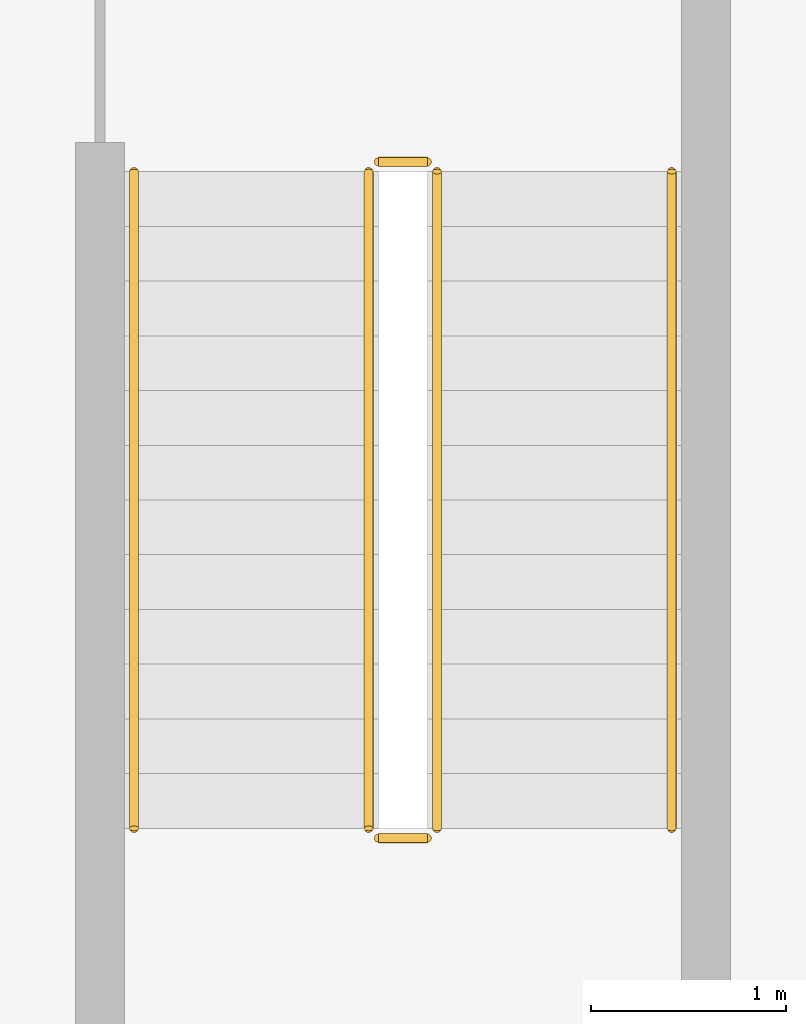
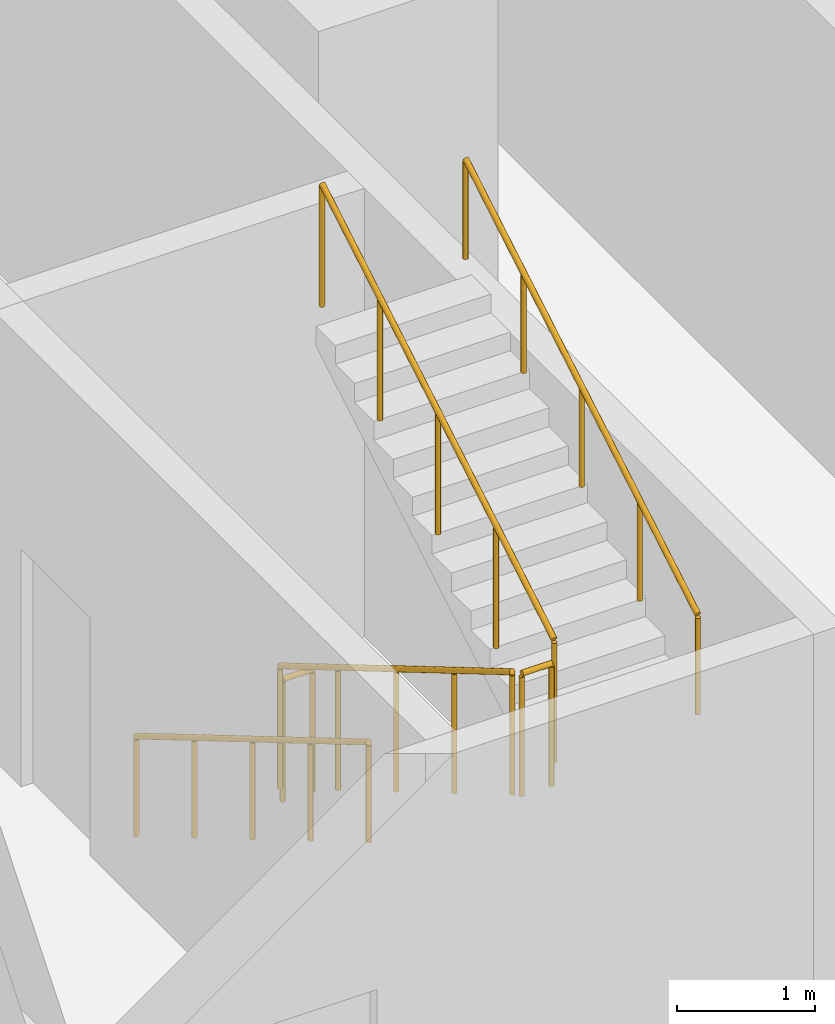
# One storey, part 26 of 30: 6 railings.
"""IFC4 building model written with IfcOpenShell, lengths in metres."""

from ifc_helpers import new_model, si_unit, direction, frame, origin, origin_2d, place, context, subcontext, project, spatial, circle, extrude, material, type_object, element, save


model = new_model("IFC4")

# Units and contexts
model_context = context("Model", 3, precision=1e-05, world=origin(), true_north=direction((0.0, 1.0)))
body_context = subcontext(model_context, "Body", "Model", "MODEL_VIEW")
ifc_project = project(units=[si_unit("LENGTHUNIT", "METRE"), si_unit("AREAUNIT", "SQUARE_METRE"), si_unit("VOLUMEUNIT", "CUBIC_METRE"), si_unit("PLANEANGLEUNIT", "RADIAN"), si_unit("MASSUNIT", "GRAM", prefix="KILO")], contexts=[model_context])

# Site, building, storey
site_placement = place(None, origin())
site = spatial("IfcSite", under=ifc_project, at=site_placement, CompositionType="ELEMENT")
building_placement = place(site_placement, origin())
building = spatial("IfcBuilding", under=site, at=building_placement, Name="Mahtab Terrace Research Tower", CompositionType="ELEMENT")
storey_placement = place(building_placement, frame((0.0, 0.0, 50.300048828125)))
storey = spatial("IfcBuildingStorey", under=building, at=storey_placement, Name="L11", CompositionType="ELEMENT", Elevation=50.300048828125)

# Railings
ifc_material = material(Name="Stainless steel AISI 304", Category="steel")
railing_type_1 = type_object("IfcRailingType", Name="Stair guard 1100", PredefinedType="GUARDRAIL", material=ifc_material)
railing_1_placement = place(storey_placement, frame((2.949951171875, -4.175048828125, 0.165283203125)))
element("IfcRailing", 1, at=railing_1_placement, inside=storey, type_object=railing_type_1, Name="L11 ST2 stair guard 1", PredefinedType="GUARDRAIL", context=body_context, shape_type="SweptSolid", body=[
    extrude(circle(Radius=0.02392578125, at=origin_2d()), frame((0.0, 0.0, 1.076171875), z_axis=(0.0, -0.861011212953, 0.508585972249), x_axis=(1.0, 0.0, 0.0)), (0.0, 0.0, 1.0), 3.90234375),
    extrude(circle(Radius=0.02099609375, at=origin_2d()), origin(), (0.0, 0.0, 1.0), 1.052001953125),
    extrude(circle(Radius=0.02099609375, at=origin_2d()), frame((0.0, -0.83984375, 0.49609375)), (0.0, 0.0, 1.0), 1.052001953125),
    extrude(circle(Radius=0.02099609375, at=origin_2d()), frame((0.0, -1.679931640625, 0.9921875)), (0.0, 0.0, 1.0), 1.052001953125),
    extrude(circle(Radius=0.02099609375, at=origin_2d()), frame((0.0, -2.52001953125, 1.488525390625)), (0.0, 0.0, 1.0), 1.052001953125),
    extrude(circle(Radius=0.02099609375, at=origin_2d()), frame((0.0, -3.35986328125, 1.984619140625)), (0.0, 0.0, 1.0), 1.052001953125),
])
railing_2_placement = place(storey_placement, frame((3.0, -7.5849609375, 2.14990234375)))
element("IfcRailing", 2, at=railing_2_placement, inside=storey, type_object=railing_type_1, Name="L11 ST2 stair guard 2", PredefinedType="GUARDRAIL", context=body_context, shape_type="SweptSolid", body=[
    extrude(circle(Radius=0.02392578125, at=origin_2d()), frame((0.0, 0.0, 1.076171875), z_axis=(1.0, 0.0, 0.0), x_axis=(0.0, 1.0, 0.0)), (0.0, 0.0, 1.0), 0.25),
    extrude(circle(Radius=0.02099609375, at=origin_2d()), origin(), (0.0, 0.0, 1.0), 1.052001953125),
    extrude(circle(Radius=0.02099609375, at=origin_2d()), frame((0.25, 0.0, 0.0)), (0.0, 0.0, 1.0), 1.052001953125),
])
railing_3_placement = place(storey_placement, frame((3.300048828125, -7.534912109375, 2.3154296875)))
element("IfcRailing", 3, at=railing_3_placement, inside=storey, type_object=railing_type_1, Name="L11 ST2 stair guard 3", PredefinedType="GUARDRAIL", context=body_context, shape_type="SweptSolid", body=[
    extrude(circle(Radius=0.02392578125, at=origin_2d()), frame((0.0, 0.0, 1.076171875), z_axis=(0.0, 0.861011212953, 0.508585972249), x_axis=(-1.0, 0.0, 0.0)), (0.0, 0.0, 1.0), 3.90234375),
    extrude(circle(Radius=0.02099609375, at=origin_2d()), origin(), (0.0, 0.0, 1.0), 1.052001953125),
    extrude(circle(Radius=0.02099609375, at=origin_2d()), frame((0.0, 0.83984375, 0.49609375)), (0.0, 0.0, 1.0), 1.052001953125),
    extrude(circle(Radius=0.02099609375, at=origin_2d()), frame((0.0, 1.679931640625, 0.9921875)), (0.0, 0.0, 1.0), 1.052001953125),
    extrude(circle(Radius=0.02099609375, at=origin_2d()), frame((0.0, 2.52001953125, 1.488525390625)), (0.0, 0.0, 1.0), 1.052001953125),
    extrude(circle(Radius=0.02099609375, at=origin_2d()), frame((0.0, 3.35986328125, 1.984619140625)), (0.0, 0.0, 1.0), 1.052001953125),
])
railing_4_placement = place(storey_placement, frame((3.0, -4.125, 0.0)))
element("IfcRailing", 4, at=railing_4_placement, inside=storey, type_object=railing_type_1, Name="L11 ST2 stair guard 4", PredefinedType="GUARDRAIL", context=body_context, shape_type="SweptSolid", body=[
    extrude(circle(Radius=0.02392578125, at=origin_2d()), frame((0.0, 0.0, 1.076171875), z_axis=(1.0, 0.0, 0.0), x_axis=(0.0, 1.0, 0.0)), (0.0, 0.0, 1.0), 0.25),
    extrude(circle(Radius=0.02099609375, at=origin_2d()), origin(), (0.0, 0.0, 1.0), 1.052001953125),
    extrude(circle(Radius=0.02099609375, at=origin_2d()), frame((0.25, 0.0, 0.0)), (0.0, 0.0, 1.0), 1.052001953125),
])
railing_type_2 = type_object("IfcRailingType", Name="Stair handrail 900", PredefinedType="HANDRAIL", material=ifc_material)
railing_5_placement = place(storey_placement, frame((1.75, -4.175048828125, 0.165283203125)))
element("IfcRailing", 5, at=railing_5_placement, inside=storey, type_object=railing_type_2, Name="L11 ST2 stair handrail 1", PredefinedType="HANDRAIL", context=body_context, shape_type="SweptSolid", body=[
    extrude(circle(Radius=0.02392578125, at=origin_2d()), frame((0.0, 0.0, 0.8759765625), z_axis=(0.0, -0.861011212953, 0.508585972249), x_axis=(1.0, 0.0, 0.0)), (0.0, 0.0, 1.0), 3.90234375),
    extrude(circle(Radius=0.02099609375, at=origin_2d()), origin(), (0.0, 0.0, 1.0), 0.851806640625),
    extrude(circle(Radius=0.02099609375, at=origin_2d()), frame((0.0, -0.83984375, 0.49609375)), (0.0, 0.0, 1.0), 0.851806640625),
    extrude(circle(Radius=0.02099609375, at=origin_2d()), frame((0.0, -1.679931640625, 0.9921875)), (0.0, 0.0, 1.0), 0.851806640625),
    extrude(circle(Radius=0.02099609375, at=origin_2d()), frame((0.0, -2.52001953125, 1.488525390625)), (0.0, 0.0, 1.0), 0.851806640625),
    extrude(circle(Radius=0.02099609375, at=origin_2d()), frame((0.0, -3.35986328125, 1.984619140625)), (0.0, 0.0, 1.0), 0.851806640625),
])
railing_6_placement = place(storey_placement, frame((4.5, -7.534912109375, 2.3154296875)))
element("IfcRailing", 6, at=railing_6_placement, inside=storey, type_object=railing_type_2, Name="L11 ST2 stair handrail 2", PredefinedType="HANDRAIL", context=body_context, shape_type="SweptSolid", body=[
    extrude(circle(Radius=0.02392578125, at=origin_2d()), frame((0.0, 0.0, 0.8759765625), z_axis=(0.0, 0.861011212953, 0.508585972249), x_axis=(-1.0, 0.0, 0.0)), (0.0, 0.0, 1.0), 3.90234375),
    extrude(circle(Radius=0.02099609375, at=origin_2d()), origin(), (0.0, 0.0, 1.0), 0.851806640625),
    extrude(circle(Radius=0.02099609375, at=origin_2d()), frame((0.0, 0.83984375, 0.49609375)), (0.0, 0.0, 1.0), 0.851806640625),
    extrude(circle(Radius=0.02099609375, at=origin_2d()), frame((0.0, 1.679931640625, 0.9921875)), (0.0, 0.0, 1.0), 0.851806640625),
    extrude(circle(Radius=0.02099609375, at=origin_2d()), frame((0.0, 2.52001953125, 1.488525390625)), (0.0, 0.0, 1.0), 0.851806640625),
    extrude(circle(Radius=0.02099609375, at=origin_2d()), frame((0.0, 3.35986328125, 1.984619140625)), (0.0, 0.0, 1.0), 0.851806640625),
])

save(model, "model.ifc")
